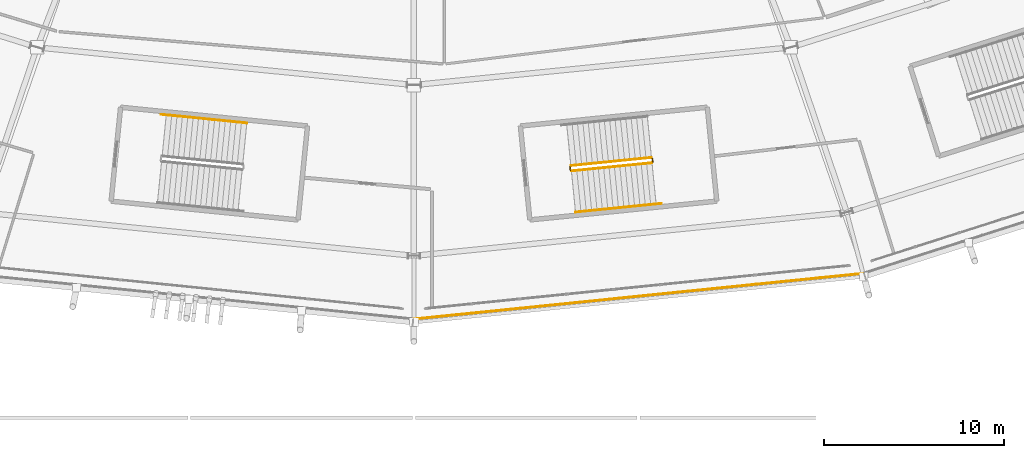
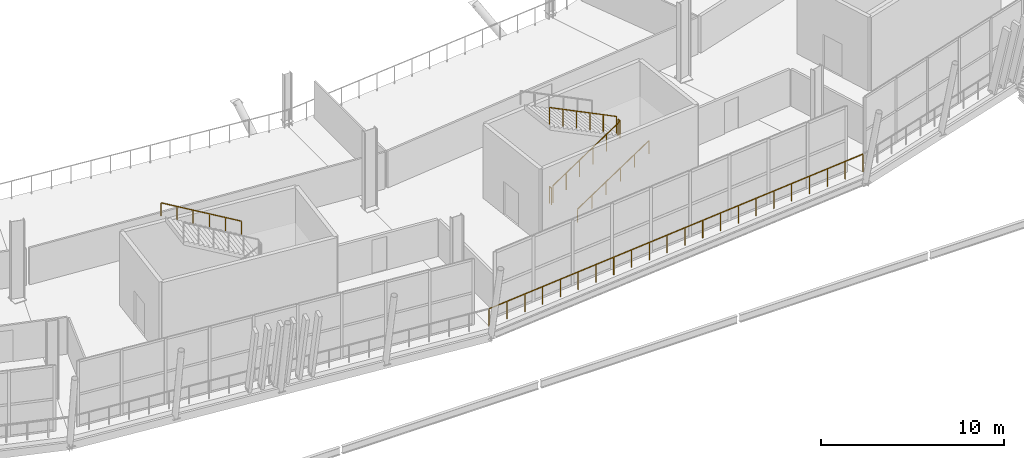
# One storey, part 144 of 168: 7 railings.
"""IFC4 building model written with IfcOpenShell, lengths in metres."""

from ifc_helpers import new_model, si_unit, direction, frame, origin, origin_2d, place, context, subcontext, project, spatial, rectangle, extrude, material, type_object, element, save


model = new_model("IFC4")

# Units and contexts
model_context = context("Model", 3, precision=1e-05, world=origin(), true_north=direction((0.0, 1.0)))
body_context = subcontext(model_context, "Body", "Model", "MODEL_VIEW")
ifc_project = project(units=[si_unit("LENGTHUNIT", "METRE"), si_unit("AREAUNIT", "SQUARE_METRE"), si_unit("VOLUMEUNIT", "CUBIC_METRE"), si_unit("PLANEANGLEUNIT", "RADIAN"), si_unit("MASSUNIT", "GRAM", prefix="KILO")], contexts=[model_context])

# Site, building, storey
site_placement = place(None, origin())
site = spatial("IfcSite", under=ifc_project, at=site_placement, CompositionType="ELEMENT")
building_placement = place(site_placement, origin())
building = spatial("IfcBuilding", under=site, at=building_placement, Name="Zlatoyarsky Gate Stadium", CompositionType="ELEMENT")
storey_placement = place(building_placement, frame((0.0, 0.0, 15.60009765625)))
storey = spatial("IfcBuildingStorey", under=building, at=storey_placement, Name="L03", CompositionType="ELEMENT", Elevation=15.60009765625)

# Railings
ifc_material_1 = material(Name="Powder-coated steel tubular guardrail", Category="steel")
railing_type_1 = type_object("IfcRailingType", Name="CONCOURSE SLAB EDGE GUARDRAIL 1200", PredefinedType="GUARDRAIL", material=ifc_material_1)
railing_1_placement = place(storey_placement, frame((111.0, 5.477783203125, 0.0)))
element("IfcRailing", 1, at=railing_1_placement, inside=storey, type_object=railing_type_1, Name="L03 outer slab edge guardrail 18", PredefinedType="GUARDRAIL", context=body_context, shape_type="SweptSolid", body=[
    extrude(rectangle(XDim=0.048095703125, YDim=0.048095703125, at=origin_2d()), frame((0.0, 0.0, 1.17578125), z_axis=(0.994873662945, 0.101125638586, 0.0), x_axis=(-0.101125638586, 0.994873662945, 0.0)), (0.0, 0.0, 1.0), 25.1103515625),
    extrude(rectangle(XDim=0.0419921875, YDim=0.0419921875, at=origin_2d()), origin(), (0.0, 0.0, 1.0), 1.15185546875),
    extrude(rectangle(XDim=0.0419921875, YDim=0.0419921875, at=origin_2d()), frame((1.189697265625, 0.120849609375, 0.0)), (0.0, 0.0, 1.0), 1.15185546875),
    extrude(rectangle(XDim=0.0419921875, YDim=0.0419921875, at=origin_2d()), frame((2.379150390625, 0.241943359375, 0.0)), (0.0, 0.0, 1.0), 1.15185546875),
    extrude(rectangle(XDim=0.0419921875, YDim=0.0419921875, at=origin_2d()), frame((3.56884765625, 0.36279296875, 0.0)), (0.0, 0.0, 1.0), 1.15185546875),
    extrude(rectangle(XDim=0.0419921875, YDim=0.0419921875, at=origin_2d()), frame((4.75830078125, 0.483642578125, 0.0)), (0.0, 0.0, 1.0), 1.15185546875),
    extrude(rectangle(XDim=0.0419921875, YDim=0.0419921875, at=origin_2d()), frame((5.947998046875, 0.6044921875, 0.0)), (0.0, 0.0, 1.0), 1.15185546875),
    extrude(rectangle(XDim=0.0419921875, YDim=0.0419921875, at=origin_2d()), frame((7.1376953125, 0.7255859375, 0.0)), (0.0, 0.0, 1.0), 1.15185546875),
    extrude(rectangle(XDim=0.0419921875, YDim=0.0419921875, at=origin_2d()), frame((8.3271484375, 0.846435546875, 0.0)), (0.0, 0.0, 1.0), 1.15185546875),
    extrude(rectangle(XDim=0.0419921875, YDim=0.0419921875, at=origin_2d()), frame((9.516845703125, 0.96728515625, 0.0)), (0.0, 0.0, 1.0), 1.15185546875),
    extrude(rectangle(XDim=0.0419921875, YDim=0.0419921875, at=origin_2d()), frame((10.70654296875, 1.08837890625, 0.0)), (0.0, 0.0, 1.0), 1.15185546875),
    extrude(rectangle(XDim=0.0419921875, YDim=0.0419921875, at=origin_2d()), frame((11.89599609375, 1.209228515625, 0.0)), (0.0, 0.0, 1.0), 1.15185546875),
    extrude(rectangle(XDim=0.0419921875, YDim=0.0419921875, at=origin_2d()), frame((13.085693359375, 1.330078125, 0.0)), (0.0, 0.0, 1.0), 1.15185546875),
    extrude(rectangle(XDim=0.0419921875, YDim=0.0419921875, at=origin_2d()), frame((14.275146484375, 1.450927734375, 0.0)), (0.0, 0.0, 1.0), 1.15185546875),
    extrude(rectangle(XDim=0.0419921875, YDim=0.0419921875, at=origin_2d()), frame((15.46484375, 1.572021484375, 0.0)), (0.0, 0.0, 1.0), 1.15185546875),
    extrude(rectangle(XDim=0.0419921875, YDim=0.0419921875, at=origin_2d()), frame((16.654541015625, 1.69287109375, 0.0)), (0.0, 0.0, 1.0), 1.15185546875),
    extrude(rectangle(XDim=0.0419921875, YDim=0.0419921875, at=origin_2d()), frame((17.843994140625, 1.813720703125, 0.0)), (0.0, 0.0, 1.0), 1.15185546875),
    extrude(rectangle(XDim=0.0419921875, YDim=0.0419921875, at=origin_2d()), frame((19.03369140625, 1.934814453125, 0.0)), (0.0, 0.0, 1.0), 1.15185546875),
    extrude(rectangle(XDim=0.0419921875, YDim=0.0419921875, at=origin_2d()), frame((20.223388671875, 2.0556640625, 0.0)), (0.0, 0.0, 1.0), 1.15185546875),
    extrude(rectangle(XDim=0.0419921875, YDim=0.0419921875, at=origin_2d()), frame((21.412841796875, 2.176513671875, 0.0)), (0.0, 0.0, 1.0), 1.15185546875),
    extrude(rectangle(XDim=0.0419921875, YDim=0.0419921875, at=origin_2d()), frame((22.6025390625, 2.29736328125, 0.0)), (0.0, 0.0, 1.0), 1.15185546875),
    extrude(rectangle(XDim=0.0419921875, YDim=0.0419921875, at=origin_2d()), frame((23.7919921875, 2.41845703125, 0.0)), (0.0, 0.0, 1.0), 1.15185546875),
    extrude(rectangle(XDim=0.0419921875, YDim=0.0419921875, at=origin_2d()), frame((24.981689453125, 2.539306640625, 0.0)), (0.0, 0.0, 1.0), 1.15185546875),
])
ifc_material_2 = material(Name="Powder-coated steel stair guardrail", Category="steel")
railing_type_2 = type_object("IfcRailingType", Name="PAINTED STEEL STAIR WELL GUARDRAIL 1150", PredefinedType="GUARDRAIL", material=ifc_material_2)
railing_2_placement = place(storey_placement, frame((119.760986328125, 13.717529296875, 0.162353515625)))
element("IfcRailing", 2, at=railing_2_placement, inside=storey, type_object=railing_type_2, Name="ST-10 L03 stair guard 1", PredefinedType="GUARDRAIL", context=body_context, shape_type="SweptSolid", body=[
    extrude(rectangle(XDim=0.048095703125, YDim=0.048095703125, at=origin_2d()), frame((0.0, 0.0, 1.1259765625), z_axis=(0.874889575762, 0.087918292701, 0.47627576469), x_axis=(-0.099987144365, 0.994988729063, 0.0)), (0.0, 0.0, 1.0), 5.117919921875),
    extrude(rectangle(XDim=0.0419921875, YDim=0.0419921875, at=origin_2d()), origin(), (0.0, 0.0, 1.0), 1.101806640625),
    extrude(rectangle(XDim=0.0419921875, YDim=0.0419921875, at=origin_2d()), frame((0.8955078125, 0.090087890625, 0.487548828125)), (0.0, 0.0, 1.0), 1.101806640625),
    extrude(rectangle(XDim=0.0419921875, YDim=0.0419921875, at=origin_2d()), frame((1.791015625, 0.179931640625, 0.97509765625)), (0.0, 0.0, 1.0), 1.101806640625),
    extrude(rectangle(XDim=0.0419921875, YDim=0.0419921875, at=origin_2d()), frame((2.6865234375, 0.27001953125, 1.46240234375)), (0.0, 0.0, 1.0), 1.101806640625),
    extrude(rectangle(XDim=0.0419921875, YDim=0.0419921875, at=origin_2d()), frame((3.58203125, 0.35986328125, 1.949951171875)), (0.0, 0.0, 1.0), 1.101806640625),
    extrude(rectangle(XDim=0.0419921875, YDim=0.0419921875, at=origin_2d()), frame((4.4775390625, 0.449951171875, 2.4375)), (0.0, 0.0, 1.0), 1.101806640625),
])
railing_3_placement = place(storey_placement, frame((124.283203125, 14.22216796875, 2.599853515625)))
element("IfcRailing", 3, at=railing_3_placement, inside=storey, type_object=railing_type_2, Name="ST-10 L03 stair guard 2", PredefinedType="GUARDRAIL", context=body_context, shape_type="SweptSolid", body=[
    extrude(rectangle(XDim=0.048095703125, YDim=0.048095703125, at=origin_2d()), frame((0.0, 0.0, 1.1259765625), z_axis=(-0.100108072026, 0.994976569531, 0.0), x_axis=(-0.994976569531, -0.100108072026, 0.0)), (0.0, 0.0, 1.0), 0.199951171875),
    extrude(rectangle(XDim=0.0419921875, YDim=0.0419921875, at=origin_2d()), origin(), (0.0, 0.0, 1.0), 1.101806640625),
    extrude(rectangle(XDim=0.0419921875, YDim=0.0419921875, at=origin_2d()), frame((-0.02001953125, 0.198974609375, 0.0)), (0.0, 0.0, 1.0), 1.101806640625),
])
railing_4_placement = place(storey_placement, frame((124.20849609375, 14.466064453125, 2.762451171875)))
element("IfcRailing", 4, at=railing_4_placement, inside=storey, type_object=railing_type_2, Name="ST-10 L03 stair guard 3", PredefinedType="GUARDRAIL", context=body_context, shape_type="SweptSolid", body=[
    extrude(rectangle(XDim=0.048095703125, YDim=0.048095703125, at=origin_2d()), frame((0.0, 0.0, 1.1259765625), z_axis=(-0.874874714683, -0.087969298974, 0.476293644768), x_axis=(0.100046254416, -0.994982787277, 0.0)), (0.0, 0.0, 1.0), 5.11767578125),
    extrude(rectangle(XDim=0.0419921875, YDim=0.0419921875, at=origin_2d()), origin(), (0.0, 0.0, 1.0), 1.101806640625),
    extrude(rectangle(XDim=0.0419921875, YDim=0.0419921875, at=origin_2d()), frame((-0.8955078125, -0.090087890625, 0.487548828125)), (0.0, 0.0, 1.0), 1.101806640625),
    extrude(rectangle(XDim=0.0419921875, YDim=0.0419921875, at=origin_2d()), frame((-1.791015625, -0.18017578125, 0.97509765625)), (0.0, 0.0, 1.0), 1.101806640625),
    extrude(rectangle(XDim=0.0419921875, YDim=0.0419921875, at=origin_2d()), frame((-2.686279296875, -0.27001953125, 1.46240234375)), (0.0, 0.0, 1.0), 1.101806640625),
    extrude(rectangle(XDim=0.0419921875, YDim=0.0419921875, at=origin_2d()), frame((-3.581787109375, -0.360107421875, 1.949951171875)), (0.0, 0.0, 1.0), 1.101806640625),
    extrude(rectangle(XDim=0.0419921875, YDim=0.0419921875, at=origin_2d()), frame((-4.477294921875, -0.4501953125, 2.4375)), (0.0, 0.0, 1.0), 1.101806640625),
])
railing_5_placement = place(storey_placement, frame((119.706298828125, 13.76220703125, 0.0)))
element("IfcRailing", 5, at=railing_5_placement, inside=storey, type_object=railing_type_2, Name="ST-10 L03 stair guard 4", PredefinedType="GUARDRAIL", context=body_context, shape_type="SweptSolid", body=[
    extrude(rectangle(XDim=0.048095703125, YDim=0.048095703125, at=origin_2d()), frame((0.0, 0.0, 1.1259765625), z_axis=(-0.100108072026, 0.994976569531, 0.0), x_axis=(-0.994976569531, -0.100108072026, 0.0)), (0.0, 0.0, 1.0), 0.199951171875),
    extrude(rectangle(XDim=0.0419921875, YDim=0.0419921875, at=origin_2d()), origin(), (0.0, 0.0, 1.0), 1.101806640625),
    extrude(rectangle(XDim=0.0419921875, YDim=0.0419921875, at=origin_2d()), frame((-0.02001953125, 0.198974609375, 0.0)), (0.0, 0.0, 1.0), 1.101806640625),
])
ifc_material_3 = material(Name="Brushed stainless steel 316 handrail", Category="steel")
railing_type_3 = type_object("IfcRailingType", Name="STAINLESS STEEL TUBULAR HANDRAIL 900", PredefinedType="HANDRAIL", material=ifc_material_3)
railing_6_placement = place(storey_placement, frame((119.9912109375, 11.428955078125, 0.16650390625)))
element("IfcRailing", 6, at=railing_6_placement, inside=storey, type_object=railing_type_3, Name="ST-10 L03 stair handrail 1", PredefinedType="HANDRAIL", context=body_context, shape_type="SweptSolid", body=[
    extrude(rectangle(XDim=0.048095703125, YDim=0.048095703125, at=origin_2d()), frame((0.0, 0.0, 0.8759765625), z_axis=(0.874893304719, 0.087927626883, 0.476267191594), x_axis=(-0.099997231792, 0.994987715318, 0.0)), (0.0, 0.0, 1.0), 5.458740234375),
    extrude(rectangle(XDim=0.0419921875, YDim=0.0419921875, at=origin_2d()), origin(), (0.0, 0.0, 1.0), 0.851806640625),
    extrude(rectangle(XDim=0.0419921875, YDim=0.0419921875, at=origin_2d()), frame((0.955078125, 0.095947265625, 0.52001953125)), (0.0, 0.0, 1.0), 0.851806640625),
    extrude(rectangle(XDim=0.0419921875, YDim=0.0419921875, at=origin_2d()), frame((1.910400390625, 0.19189453125, 1.0400390625)), (0.0, 0.0, 1.0), 0.851806640625),
    extrude(rectangle(XDim=0.0419921875, YDim=0.0419921875, at=origin_2d()), frame((2.865478515625, 0.2880859375, 1.559814453125)), (0.0, 0.0, 1.0), 0.851806640625),
    extrude(rectangle(XDim=0.0419921875, YDim=0.0419921875, at=origin_2d()), frame((3.82080078125, 0.384033203125, 2.079833984375)), (0.0, 0.0, 1.0), 0.851806640625),
    extrude(rectangle(XDim=0.0419921875, YDim=0.0419921875, at=origin_2d()), frame((4.77587890625, 0.47998046875, 2.599853515625)), (0.0, 0.0, 1.0), 0.851806640625),
])
railing_7_placement = place(storey_placement, frame((101.702880859375, 16.38427734375, 2.766357421875)))
element("IfcRailing", 7, at=railing_7_placement, inside=storey, type_object=railing_type_3, Name="ST-19 L03 stair handrail 2", PredefinedType="HANDRAIL", context=body_context, shape_type="SweptSolid", body=[
    extrude(rectangle(XDim=0.048095703125, YDim=0.048095703125, at=origin_2d()), frame((0.0, 0.0, 0.8759765625), z_axis=(-0.874874668659, 0.08792575394, 0.47630176982), x_axis=(-0.099997231792, -0.994987715318, 0.0)), (0.0, 0.0, 1.0), 5.458984375),
    extrude(rectangle(XDim=0.0419921875, YDim=0.0419921875, at=origin_2d()), origin(), (0.0, 0.0, 1.0), 0.851806640625),
    extrude(rectangle(XDim=0.0419921875, YDim=0.0419921875, at=origin_2d()), frame((-0.955078125, 0.095947265625, 0.52001953125)), (0.0, 0.0, 1.0), 0.851806640625),
    extrude(rectangle(XDim=0.0419921875, YDim=0.0419921875, at=origin_2d()), frame((-1.910400390625, 0.19189453125, 1.0400390625)), (0.0, 0.0, 1.0), 0.851806640625),
    extrude(rectangle(XDim=0.0419921875, YDim=0.0419921875, at=origin_2d()), frame((-2.865478515625, 0.2880859375, 1.56005859375)), (0.0, 0.0, 1.0), 0.851806640625),
    extrude(rectangle(XDim=0.0419921875, YDim=0.0419921875, at=origin_2d()), frame((-3.82080078125, 0.384033203125, 2.080078125)), (0.0, 0.0, 1.0), 0.851806640625),
    extrude(rectangle(XDim=0.0419921875, YDim=0.0419921875, at=origin_2d()), frame((-4.77587890625, 0.47998046875, 2.60009765625)), (0.0, 0.0, 1.0), 0.851806640625),
])

save(model, "model.ifc")
